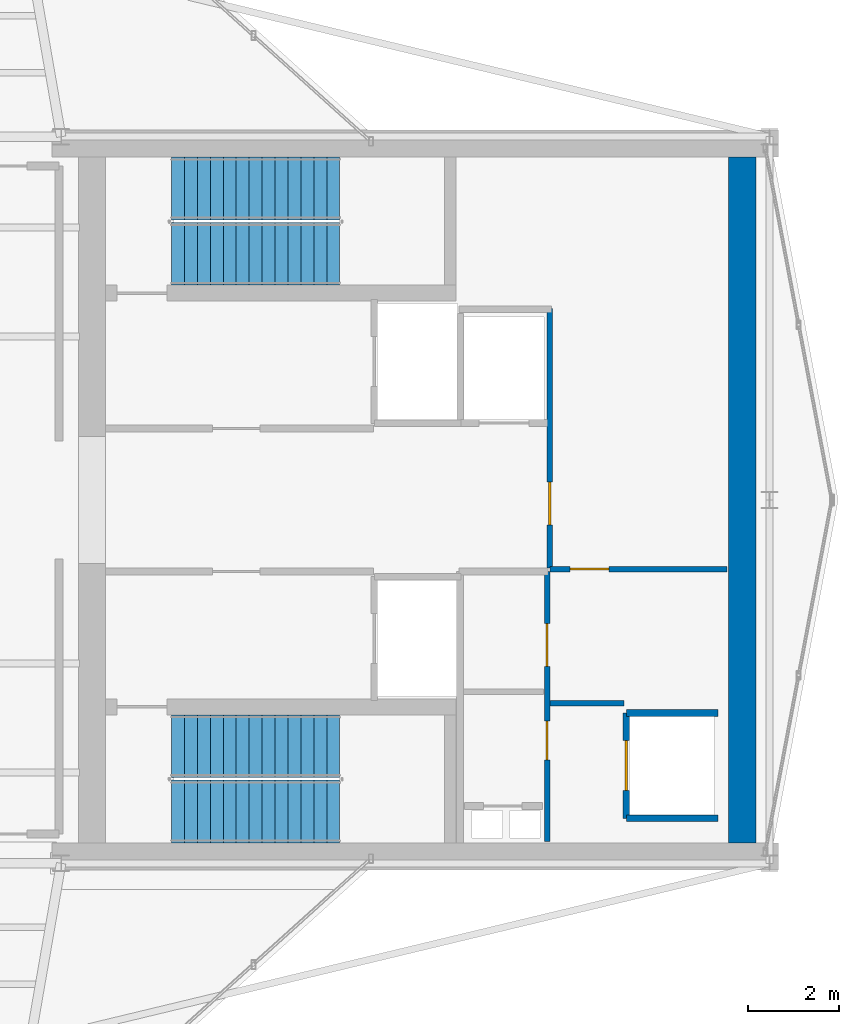
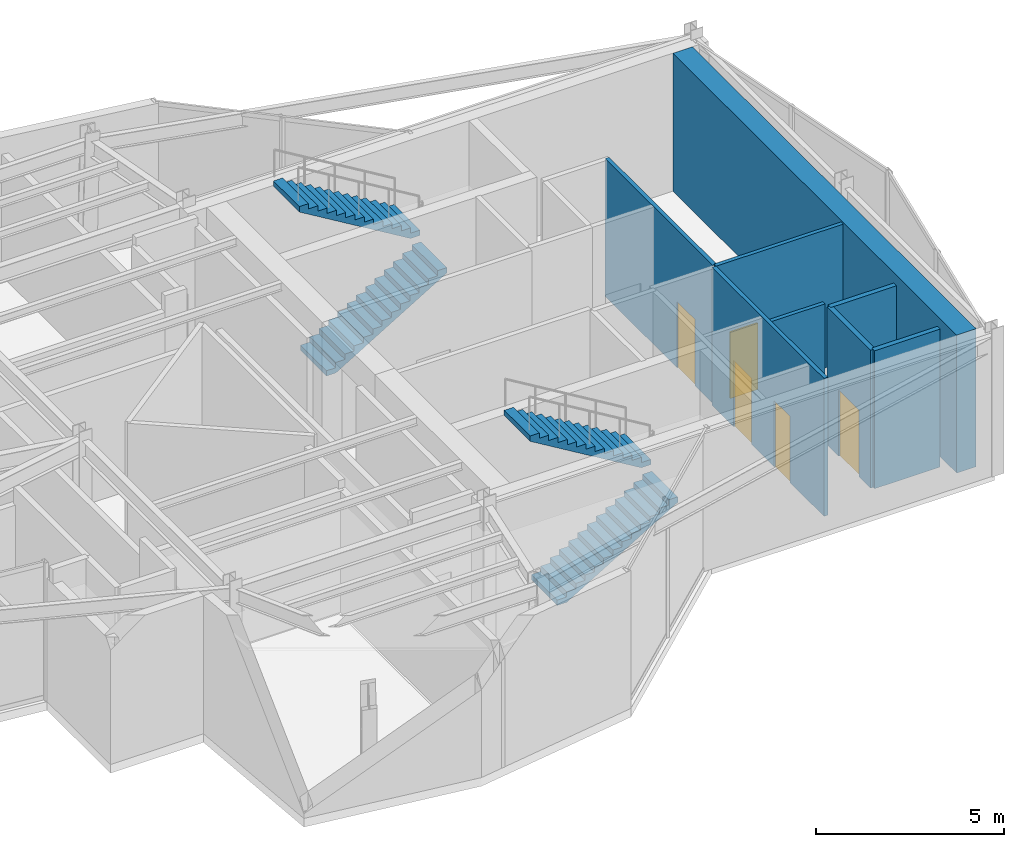
# One storey, part 9 of 11: 8 walls, 5 doors, 4 stair flights, 5 openings, 2 elements without a shape of their own.
"""IFC4 building model written with IfcOpenShell, lengths in metres."""

from ifc_helpers import new_model, si_unit, direction, frame, frame_2d, origin, place, context, subcontext, project, spatial, polyline, rectangle, outline, extrude, material, layer, layer_set, type_object, element, fill, aggregate, save


model = new_model("IFC4")

# Units and contexts
model_context = context("Model", 3, precision=1e-05, world=origin(), true_north=direction((0.0, 1.0)))
body_context = subcontext(model_context, "Body", "Model", "MODEL_VIEW")
ifc_project = project(units=[si_unit("LENGTHUNIT", "METRE"), si_unit("AREAUNIT", "SQUARE_METRE"), si_unit("VOLUMEUNIT", "CUBIC_METRE"), si_unit("PLANEANGLEUNIT", "RADIAN"), si_unit("MASSUNIT", "GRAM", prefix="KILO")], contexts=[model_context])

# Site, building, storey
site_placement = place(None, origin())
site = spatial("IfcSite", under=ifc_project, at=site_placement, CompositionType="ELEMENT")
building_placement = place(site_placement, origin())
building = spatial("IfcBuilding", under=site, at=building_placement, Name="Veymaron Broadcast Tower", CompositionType="ELEMENT")
storey_placement = place(building_placement, frame((0.0, 0.0, 327.60009765625)))
storey = spatial("IfcBuildingStorey", under=building, at=storey_placement, Name="L77", CompositionType="ELEMENT", Elevation=327.60009765625)

# Wall, opening, door
ifc_material_1 = material(Name="Gypsum fireboard and steel stud framing", Category="steel")
ifc_layer_1 = layer(ifc_material_1, 0.14990234375)
ifc_layer_set_1 = layer_set([ifc_layer_1], Name="Gypsum fireboard and steel stud framing")
wall_type_1 = type_object("IfcWallType", Name="WALL-FIRE-150", PredefinedType="PARTITIONING", material=ifc_layer_set_1)
wall_1_placement = place(storey_placement, frame((51.445068359375, 16.989990234375, 0.0), z_axis=(0.0, 0.0, 1.0), x_axis=(0.0, 1.0, 0.0)))
wall_1 = element("IfcWall", 1, at=wall_1_placement, inside=storey, type_object=wall_type_1, Name="L77 partition IW-L77-SHW-PH1", PredefinedType="PARTITIONING", context=body_context, shape_type="SweptSolid", body=[
    extrude(rectangle(XDim=2.320068359375, YDim=0.14990234375, at=frame_2d((1.16015625, 0.0))), origin(), (0.0, 0.0, 1.0), 4.47998046875),
])
opening_1_placement = place(wall_1_placement, frame((0.610107421875, 0.0, 0.0)))
opening_1 = element("IfcOpeningElement", 2, at=opening_1_placement, cuts=wall_1, Name="Opening LD", PredefinedType="OPENING", context=body_context, shape_type="SweptSolid", body=[
    extrude(rectangle(XDim=1.10009765625, YDim=2.14990234375, at=frame_2d((0.550048828125, 1.074951171875))), frame((0.0, 0.0849609375, 0.0), z_axis=(0.0, -1.0, 0.0), x_axis=(1.0, 0.0, 0.0)), (0.0, 0.0, 1.0), 0.169921875),
])
ifc_material_2 = material(Name="Brushed stainless steel AISI 304", Category="steel")
door_type_1 = type_object("IfcDoorType", Name="DOOR-LIFT-1100", OperationType="DOUBLE_DOOR_SLIDING", PredefinedType="DOOR", material=ifc_material_2)
door_1_placement = place(opening_1_placement, frame((1.10009765625, 0.0, 0.0), z_axis=(0.0, 0.0, 1.0), x_axis=(-1.0, 0.0, 0.0)))
door_1 = element("IfcDoor", 3, at=door_1_placement, inside=storey, type_object=door_type_1, Name="L77 door LD-L77-PH1", OperationType="DOUBLE_DOOR_SLIDING", OverallHeight=2.14990234375, OverallWidth=1.10009765625, PredefinedType="DOOR", context=body_context, shape_type="SweptSolid", body=[
    extrude(rectangle(XDim=1.10009765625, YDim=2.14990234375, at=frame_2d((0.550048828125, 1.074951171875))), frame((0.0, 0.02490234375, 0.0), z_axis=(0.0, -1.0, 0.0), x_axis=(1.0, 0.0, 0.0)), (0.0, 0.0, 1.0), 0.050048828125),
])
fill(opening_1, door_1)

# Walls
for number, where, z_axis, x_axis, name in (
    (4, (51.445068359375, 16.989990234375, 0.0), (0.0, 0.0, 1.0), (1.0, 0.0, 0.0), "L77 partition IW-L77-SHS-PH1"),
    (5, (51.445068359375, 19.31005859375, 0.0), (0.0, 0.0, 1.0), (1.0, 0.0, 0.0), "L77 partition IW-L77-SHN-PH1"),
):
    element("IfcWall", number, at=place(storey_placement, frame(where, z_axis=z_axis, x_axis=x_axis)), inside=storey, type_object=wall_type_1, Name=name, PredefinedType="PARTITIONING", context=body_context, shape_type="SweptSolid", body=[
        extrude(rectangle(XDim=2.014892578125, YDim=0.14990234375, at=frame_2d((1.00732421875, 0.0))), origin(), (0.0, 0.0, 1.0), 4.47998046875),
    ])

# Wall, openings, doors
ifc_material_3 = material(Name="Acoustic gypsum board and galvanized stud", Category="gypsum")
ifc_layer_2 = layer(ifc_material_3, 0.1201171875)
ifc_layer_set_2 = layer_set([ifc_layer_2], Name="Acoustic gypsum board and galvanized stud")
wall_type_2 = type_object("IfcWallType", Name="WALL-PART-120", PredefinedType="PARTITIONING", material=ifc_layer_set_2)
wall_2_placement = place(storey_placement, frame((49.699951171875, 16.47998046875, 0.0), z_axis=(0.0, 0.0, 1.0), x_axis=(0.0, 1.0, 0.0)))
wall_2 = element("IfcWall", 6, at=wall_2_placement, inside=storey, type_object=wall_type_2, Name="L77 partition IW-L77-SM-E", PredefinedType="PARTITIONING", context=body_context, shape_type="SweptSolid", body=[
    extrude(rectangle(XDim=5.945068359375, YDim=0.1201171875, at=frame_2d((2.97265625, 0.0))), origin(), (0.0, 0.0, 1.0), 4.47998046875),
])
opening_2_placement = place(wall_2_placement, frame((1.800048828125, 0.0, 0.0)))
opening_2 = element("IfcOpeningElement", 7, at=opening_2_placement, cuts=wall_2, Name="Opening ID-WC1", PredefinedType="OPENING", context=body_context, shape_type="SweptSolid", body=[
    extrude(rectangle(XDim=0.85009765625, YDim=2.14990234375, at=frame_2d((0.425048828125, 1.074951171875))), frame((0.0, 0.070068359375, 0.0), z_axis=(0.0, -1.0, 0.0), x_axis=(1.0, 0.0, 0.0)), (0.0, 0.0, 1.0), 0.14013671875),
])
opening_3_placement = place(wall_2_placement, frame((3.85009765625, 0.0, 0.0)))
opening_3 = element("IfcOpeningElement", 8, at=opening_3_placement, cuts=wall_2, Name="Opening ID-RM1", PredefinedType="OPENING", context=body_context, shape_type="SweptSolid", body=[
    extrude(rectangle(XDim=0.949951171875, YDim=2.14990234375, at=frame_2d((0.47509765625, 1.074951171875))), frame((0.0, 0.070068359375, 0.0), z_axis=(0.0, -1.0, 0.0), x_axis=(1.0, 0.0, 0.0)), (0.0, 0.0, 1.0), 0.14013671875),
])
ifc_material_4 = material(Name="Moisture-resistant high-pressure laminate timber", Category="wood")
door_type_2 = type_object("IfcDoorType", Name="DOOR-INT-850", OperationType="NOTDEFINED", PredefinedType="DOOR", material=ifc_material_4)
door_2_placement = place(opening_2_placement, frame((0.85009765625, 0.0, 0.0), z_axis=(0.0, 0.0, 1.0), x_axis=(-1.0, 0.0, 0.0)))
door_2 = element("IfcDoor", 9, at=door_2_placement, inside=storey, type_object=door_type_2, Name="L77 door DR-L77-SWC", OperationType="SINGLE_SWING_LEFT", OverallHeight=2.14990234375, OverallWidth=0.85009765625, PredefinedType="DOOR", context=body_context, shape_type="SweptSolid", body=[
    extrude(rectangle(XDim=0.85009765625, YDim=2.14990234375, at=frame_2d((0.425048828125, 1.074951171875))), frame((0.0, 0.02490234375, 0.0), z_axis=(0.0, -1.0, 0.0), x_axis=(1.0, 0.0, 0.0)), (0.0, 0.0, 1.0), 0.050048828125),
])
fill(opening_2, door_2)
ifc_material_5 = material(Name="Acoustic solid-core European oak veneer timber", Category="wood")
door_type_3 = type_object("IfcDoorType", Name="DOOR-INT-950", OperationType="NOTDEFINED", PredefinedType="DOOR", material=ifc_material_5)
door_3_placement = place(opening_3_placement, frame((0.949951171875, 0.0, 0.0), z_axis=(0.0, 0.0, 1.0), x_axis=(-1.0, 0.0, 0.0)))
door_3 = element("IfcDoor", 10, at=door_3_placement, inside=storey, type_object=door_type_3, Name="L77 door DR-L77-AWC", OperationType="SINGLE_SWING_RIGHT", OverallHeight=2.14990234375, OverallWidth=0.949951171875, PredefinedType="DOOR", context=body_context, shape_type="SweptSolid", body=[
    extrude(rectangle(XDim=0.949951171875, YDim=2.14990234375, at=frame_2d((0.47509765625, 1.074951171875))), frame((0.0, 0.02490234375, 0.0), z_axis=(0.0, -1.0, 0.0), x_axis=(1.0, 0.0, 0.0)), (0.0, 0.0, 1.0), 0.050048828125),
])
fill(opening_3, door_3)

# Wall, opening, door
wall_3_placement = place(storey_placement, frame((49.760009765625, 22.47998046875, 0.0), z_axis=(0.0, 0.0, 1.0), x_axis=(1.0, 0.0, 0.0)))
wall_3 = element("IfcWall", 11, at=wall_3_placement, inside=storey, type_object=wall_type_2, Name="L77 partition IW-L77-F3S-N", PredefinedType="PARTITIONING", context=body_context, shape_type="SweptSolid", body=[
    extrude(rectangle(XDim=3.89990234375, YDim=0.1201171875, at=frame_2d((1.949951171875, 0.0))), origin(), (0.0, 0.0, 1.0), 4.47998046875),
])
opening_4_placement = place(wall_3_placement, frame((0.449951171875, 0.0, 0.0)))
opening_4 = element("IfcOpeningElement", 12, at=opening_4_placement, cuts=wall_3, Name="Opening ID-WC1", PredefinedType="OPENING", context=body_context, shape_type="SweptSolid", body=[
    extrude(rectangle(XDim=0.85009765625, YDim=2.14990234375, at=frame_2d((0.425048828125, 1.074951171875))), frame((0.0, 0.070068359375, 0.0), z_axis=(0.0, -1.0, 0.0), x_axis=(1.0, 0.0, 0.0)), (0.0, 0.0, 1.0), 0.14013671875),
])
door_4_placement = place(opening_4_placement, frame((0.85009765625, 0.0, 0.0), z_axis=(0.0, 0.0, 1.0), x_axis=(-1.0, 0.0, 0.0)))
door_4 = element("IfcDoor", 13, at=door_4_placement, inside=storey, type_object=door_type_2, Name="L77 door DR-L77-F3S", OperationType="SINGLE_SWING_LEFT", OverallHeight=2.14990234375, OverallWidth=0.85009765625, PredefinedType="DOOR", context=body_context, shape_type="SweptSolid", body=[
    extrude(rectangle(XDim=0.85009765625, YDim=2.14990234375, at=frame_2d((0.425048828125, 1.074951171875))), frame((0.0, 0.02490234375, 0.0), z_axis=(0.0, -1.0, 0.0), x_axis=(1.0, 0.0, 0.0)), (0.0, 0.0, 1.0), 0.050048828125),
])
fill(opening_4, door_4)

# Wall
wall_4_placement = place(storey_placement, frame((49.760009765625, 19.52001953125, 0.0), z_axis=(0.0, 0.0, 1.0), x_axis=(1.0, 0.0, 0.0)))
element("IfcWall", 14, at=wall_4_placement, inside=storey, type_object=wall_type_2, Name="L77 partition IW-L77-F3S-S", PredefinedType="PARTITIONING", context=body_context, shape_type="SweptSolid", body=[
    extrude(rectangle(XDim=1.639892578125, YDim=0.1201171875, at=frame_2d((0.81982421875, 0.0))), origin(), (0.0, 0.0, 1.0), 4.47998046875),
])

# Wall, opening, door
wall_5_placement = place(storey_placement, frame((49.760009765625, 22.5, 0.0), z_axis=(0.0, 0.0, 1.0), x_axis=(0.0, 1.0, 0.0)))
wall_5 = element("IfcWall", 15, at=wall_5_placement, inside=storey, type_object=wall_type_2, Name="L77 partition IW-L77-F3-W", PredefinedType="PARTITIONING", context=body_context, shape_type="SweptSolid", body=[
    extrude(rectangle(XDim=5.719970703125, YDim=0.1201171875, at=frame_2d((2.85986328125, 0.0))), origin(), (0.0, 0.0, 1.0), 4.47998046875),
])
opening_5_placement = place(wall_5_placement, frame((0.949951171875, 0.0, 0.0)))
opening_5 = element("IfcOpeningElement", 16, at=opening_5_placement, cuts=wall_5, Name="Opening ID-RM1", PredefinedType="OPENING", context=body_context, shape_type="SweptSolid", body=[
    extrude(rectangle(XDim=0.949951171875, YDim=2.14990234375, at=frame_2d((0.47509765625, 1.074951171875))), frame((0.0, 0.070068359375, 0.0), z_axis=(0.0, -1.0, 0.0), x_axis=(1.0, 0.0, 0.0)), (0.0, 0.0, 1.0), 0.14013671875),
])
door_5_placement = place(opening_5_placement, origin())
door_5 = element("IfcDoor", 17, at=door_5_placement, inside=storey, type_object=door_type_3, Name="L77 door DR-L77-F3A", OperationType="SINGLE_SWING_LEFT", OverallHeight=2.14990234375, OverallWidth=0.949951171875, PredefinedType="DOOR", context=body_context, shape_type="SweptSolid", body=[
    extrude(rectangle(XDim=0.949951171875, YDim=2.14990234375, at=frame_2d((0.47509765625, 1.074951171875))), frame((0.0, 0.02490234375, 0.0), z_axis=(0.0, -1.0, 0.0), x_axis=(1.0, 0.0, 0.0)), (0.0, 0.0, 1.0), 0.050048828125),
])
fill(opening_5, door_5)

# Wall
ifc_material_6 = material(Name="Concrete C50/60", Category="concrete")
ifc_layer_3 = layer(ifc_material_6, 0.60009765625)
ifc_layer_set_3 = layer_set([ifc_layer_3], Name="Concrete C50/60")
wall_type_3 = type_object("IfcWallType", Name="WALL-SHEAR-600", PredefinedType="SHEAR", material=ifc_layer_set_3)
wall_6_placement = place(storey_placement, frame((54.0, 16.449951171875, 0.0), z_axis=(0.0, 0.0, 1.0), x_axis=(0.0, 1.0, 0.0)))
element("IfcWall", 18, at=wall_6_placement, inside=storey, type_object=wall_type_3, Name="L77 Core Wall east shear", PredefinedType="SHEAR", context=body_context, shape_type="SweptSolid", body=[
    extrude(rectangle(XDim=15.10009765625, YDim=0.60009765625, at=frame_2d((7.550048828125, 0.0))), origin(), (0.0, 0.0, 1.0), 4.47998046875),
])

# Stair, stair flights
stair_type_1 = type_object("IfcStairType", Name="STAIR-CORE-1", PredefinedType="HALF_TURN_STAIR", material=ifc_material_6)
stair_1_placement = place(storey_placement, origin())
stair_1 = element("IfcStair", 19, at=stair_1_placement, inside=storey, type_object=stair_type_1, Name="L77 North protected dog-leg exit stair ST1", PredefinedType="HALF_TURN_STAIR")
ifc_material_7 = material(Name="Precast concrete C50/60", Category="concrete")
stair_flight_type = type_object("IfcStairFlightType", Name="FLT-CORE-RC", PredefinedType="STRAIGHT", material=ifc_material_7)
stair_flight_1_placement = place(storey_placement, frame((41.429931640625, 29.419921875, 0.0), z_axis=(0.0, 0.0, 1.0), x_axis=(1.0, 0.0, 0.0)))
stair_flight_1 = element("IfcStairFlight", 20, at=stair_flight_1_placement, type_object=stair_flight_type, Name="ST1 flight 1", NumberOfRisers=14, NumberOfTreads=13, PredefinedType="STRAIGHT", RiserHeight=0.171428571, TreadLength=0.285, context=body_context, shape_type="SweptSolid", body=[
    extrude(outline(polyline([(0.0, 0.0), (0.0, 0.17138671875), (0.284912109375, 0.17138671875), (0.284912109375, 0.3427734375), (0.570068359375, 0.3427734375), (0.570068359375, 0.514404296875), (0.85498046875, 0.514404296875), (0.85498046875, 0.685791015625), (1.139892578125, 0.685791015625), (1.139892578125, 0.857177734375), (1.425048828125, 0.857177734375), (1.425048828125, 1.028564453125), (1.7099609375, 1.028564453125), (1.7099609375, 1.199951171875), (1.9951171875, 1.199951171875), (1.9951171875, 1.371337890625), (2.280029296875, 1.371337890625), (2.280029296875, 1.54296875), (2.56494140625, 1.54296875), (2.56494140625, 1.71435546875), (2.85009765625, 1.71435546875), (2.85009765625, 1.8857421875), (3.135009765625, 1.8857421875), (3.135009765625, 2.05712890625), (3.419921875, 2.05712890625), (3.419921875, 2.228515625), (3.705078125, 2.228515625), (3.705078125, 2.39990234375), (3.705078125, 2.0537109375), (0.290771484375, 0.0), (0.0, 0.0)])), frame((0.0, 0.68994140625, 0.0), z_axis=(0.0, -1.0, 0.0), x_axis=(1.0, 0.0, 0.0)), (0.0, 0.0, 1.0), 1.3798828125),
])
stair_flight_2_placement = place(storey_placement, frame((45.135009765625, 30.860107421875, 2.39990234375), z_axis=(0.0, 0.0, 1.0), x_axis=(-1.0, 0.0, 0.0)))
stair_flight_2 = element("IfcStairFlight", 21, at=stair_flight_2_placement, type_object=stair_flight_type, Name="ST1 flight 2", NumberOfRisers=14, NumberOfTreads=13, PredefinedType="STRAIGHT", RiserHeight=0.171428571, TreadLength=0.285, context=body_context, shape_type="SweptSolid", body=[
    extrude(outline(polyline([(0.0, 0.0), (0.0, 0.17138671875), (0.284912109375, 0.17138671875), (0.284912109375, 0.3427734375), (0.570068359375, 0.3427734375), (0.570068359375, 0.514404296875), (0.85498046875, 0.514404296875), (0.85498046875, 0.685791015625), (1.139892578125, 0.685791015625), (1.139892578125, 0.857177734375), (1.425048828125, 0.857177734375), (1.425048828125, 1.028564453125), (1.7099609375, 1.028564453125), (1.7099609375, 1.199951171875), (1.9951171875, 1.199951171875), (1.9951171875, 1.371337890625), (2.280029296875, 1.371337890625), (2.280029296875, 1.54296875), (2.56494140625, 1.54296875), (2.56494140625, 1.71435546875), (2.85009765625, 1.71435546875), (2.85009765625, 1.8857421875), (3.135009765625, 1.8857421875), (3.135009765625, 2.05712890625), (3.419921875, 2.05712890625), (3.419921875, 2.228515625), (3.705078125, 2.228515625), (3.705078125, 2.39990234375), (3.705078125, 2.0537109375), (0.290771484375, 0.0), (0.0, 0.0)])), frame((0.0, 0.68994140625, 0.0), z_axis=(0.0, -1.0, 0.0), x_axis=(1.0, 0.0, 0.0)), (0.0, 0.0, 1.0), 1.3798828125),
])
aggregate(stair_1, [stair_flight_1, stair_flight_2])

stair_type_2 = type_object("IfcStairType", Name="STAIR-CORE-2", PredefinedType="HALF_TURN_STAIR", material=ifc_material_6)
stair_2_placement = place(storey_placement, origin())
stair_2 = element("IfcStair", 22, at=stair_2_placement, inside=storey, type_object=stair_type_2, Name="L77 South protected dog-leg exit stair ST2", PredefinedType="HALF_TURN_STAIR")
stair_flight_3_placement = place(storey_placement, frame((41.429931640625, 17.139892578125, 0.0), z_axis=(0.0, 0.0, 1.0), x_axis=(1.0, 0.0, 0.0)))
stair_flight_3 = element("IfcStairFlight", 23, at=stair_flight_3_placement, type_object=stair_flight_type, Name="ST2 flight 1", NumberOfRisers=14, NumberOfTreads=13, PredefinedType="STRAIGHT", RiserHeight=0.171428571, TreadLength=0.285, context=body_context, shape_type="SweptSolid", body=[
    extrude(outline(polyline([(0.0, 0.0), (0.0, 0.17138671875), (0.284912109375, 0.17138671875), (0.284912109375, 0.3427734375), (0.570068359375, 0.3427734375), (0.570068359375, 0.514404296875), (0.85498046875, 0.514404296875), (0.85498046875, 0.685791015625), (1.139892578125, 0.685791015625), (1.139892578125, 0.857177734375), (1.425048828125, 0.857177734375), (1.425048828125, 1.028564453125), (1.7099609375, 1.028564453125), (1.7099609375, 1.199951171875), (1.9951171875, 1.199951171875), (1.9951171875, 1.371337890625), (2.280029296875, 1.371337890625), (2.280029296875, 1.54296875), (2.56494140625, 1.54296875), (2.56494140625, 1.71435546875), (2.85009765625, 1.71435546875), (2.85009765625, 1.8857421875), (3.135009765625, 1.8857421875), (3.135009765625, 2.05712890625), (3.419921875, 2.05712890625), (3.419921875, 2.228515625), (3.705078125, 2.228515625), (3.705078125, 2.39990234375), (3.705078125, 2.0537109375), (0.290771484375, 0.0), (0.0, 0.0)])), frame((0.0, 0.68994140625, 0.0), z_axis=(0.0, -1.0, 0.0), x_axis=(1.0, 0.0, 0.0)), (0.0, 0.0, 1.0), 1.3798828125),
])
stair_flight_4_placement = place(storey_placement, frame((45.135009765625, 18.580078125, 2.39990234375), z_axis=(0.0, 0.0, 1.0), x_axis=(-1.0, 0.0, 0.0)))
stair_flight_4 = element("IfcStairFlight", 24, at=stair_flight_4_placement, type_object=stair_flight_type, Name="ST2 flight 2", NumberOfRisers=14, NumberOfTreads=13, PredefinedType="STRAIGHT", RiserHeight=0.171428571, TreadLength=0.285, context=body_context, shape_type="SweptSolid", body=[
    extrude(outline(polyline([(0.0, 0.0), (0.0, 0.17138671875), (0.284912109375, 0.17138671875), (0.284912109375, 0.3427734375), (0.570068359375, 0.3427734375), (0.570068359375, 0.514404296875), (0.85498046875, 0.514404296875), (0.85498046875, 0.685791015625), (1.139892578125, 0.685791015625), (1.139892578125, 0.857177734375), (1.425048828125, 0.857177734375), (1.425048828125, 1.028564453125), (1.7099609375, 1.028564453125), (1.7099609375, 1.199951171875), (1.9951171875, 1.199951171875), (1.9951171875, 1.371337890625), (2.280029296875, 1.371337890625), (2.280029296875, 1.54296875), (2.56494140625, 1.54296875), (2.56494140625, 1.71435546875), (2.85009765625, 1.71435546875), (2.85009765625, 1.8857421875), (3.135009765625, 1.8857421875), (3.135009765625, 2.05712890625), (3.419921875, 2.05712890625), (3.419921875, 2.228515625), (3.705078125, 2.228515625), (3.705078125, 2.39990234375), (3.705078125, 2.0537109375), (0.290771484375, 0.0), (0.0, 0.0)])), frame((0.0, 0.68994140625, 0.0), z_axis=(0.0, -1.0, 0.0), x_axis=(1.0, 0.0, 0.0)), (0.0, 0.0, 1.0), 1.3798828125),
])
aggregate(stair_2, [stair_flight_3, stair_flight_4])

save(model, "model.ifc")
